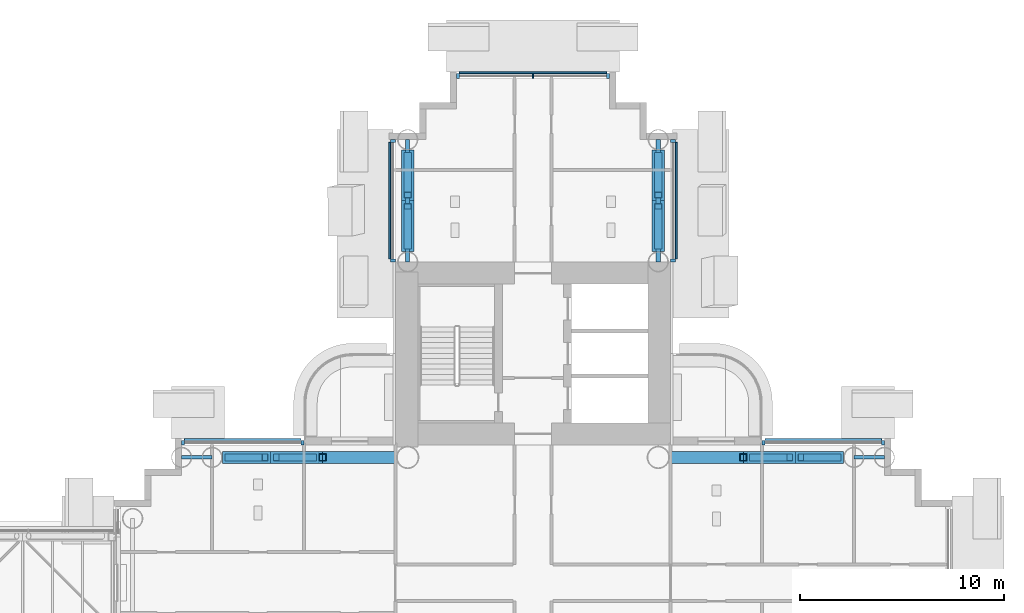
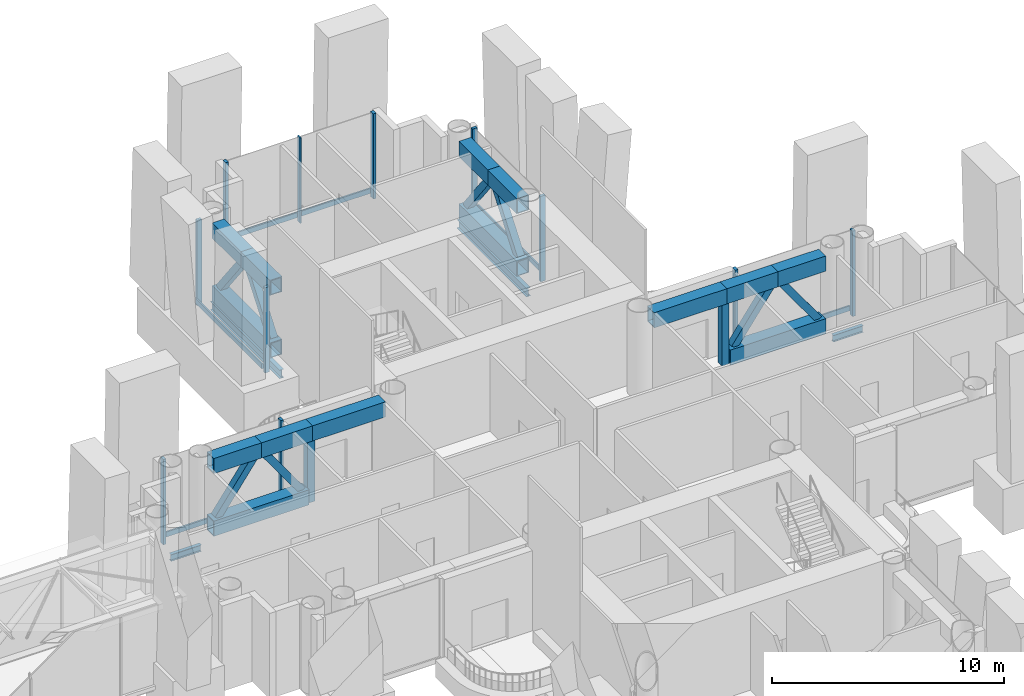
# One storey, part 9 of 27: 40 members, 4 beams, 5 elements without a shape of their own.
"""IFC4 building model written with IfcOpenShell, lengths in metres."""

from ifc_helpers import new_model, si_unit, direction, frame, origin, origin_2d, place, context, subcontext, project, spatial, rectangle, hollow_rectangle, i_section, extrude, material, layer, layer_set, material_profile, profile_set, type_object, element, aggregate, save


model = new_model("IFC4")

# Units and contexts
model_context = context("Model", 3, precision=1e-05, world=origin(), true_north=direction((0.0, 1.0)))
body_context = subcontext(model_context, "Body", "Model", "MODEL_VIEW")
ifc_project = project(units=[si_unit("LENGTHUNIT", "METRE"), si_unit("AREAUNIT", "SQUARE_METRE"), si_unit("VOLUMEUNIT", "CUBIC_METRE"), si_unit("PLANEANGLEUNIT", "RADIAN"), si_unit("MASSUNIT", "GRAM", prefix="KILO")], contexts=[model_context])

# Site, building, storey
site_placement = place(None, origin())
site = spatial("IfcSite", under=ifc_project, at=site_placement, CompositionType="ELEMENT")
building_placement = place(site_placement, origin())
building = spatial("IfcBuilding", under=site, at=building_placement, Name="Ipe Terrace Towers", CompositionType="ELEMENT")
storey_placement = place(building_placement, frame((0.0, 0.0, 72.10009765625)))
storey = spatial("IfcBuildingStorey", under=building, at=storey_placement, Name="L19", CompositionType="ELEMENT", Elevation=72.10009765625)

# Beams
ifc_material_1 = material(Name="Steel S355", Category="steel")
ifc_material_profile_1 = material_profile(ifc_material_1, i_section(OverallWidth=0.175048828125, OverallDepth=0.35009765625, WebThickness=0.007080078125, FlangeThickness=0.010986328125, at=origin_2d()), Name="H-350x175x7x11")
ifc_profile_set_1 = profile_set([ifc_material_profile_1], Name="Steel S355")
beam_type_1 = type_object("IfcBeamType", Name="H04 EDGE BEAM H-350x175x7x11", PredefinedType="BEAM", material=ifc_profile_set_1)
for number, where, z_axis, x_axis, name in (
    (1, (20.25, 6.14990234375, -0.5751953125), (-1.0, 0.0, 0.0), (0.0, -1.0, 0.0), "Edge beam T2-EB-B03-B05"),
    (2, (51.75, 6.14990234375, -0.5751953125), (1.0, 0.0, 0.0), (0.0, 1.0, 0.0), "Edge beam T2-EB-D04-D06"),
):
    element("IfcBeam", number, at=place(storey_placement, frame(where, z_axis=z_axis, x_axis=x_axis)), inside=storey, type_object=beam_type_1, Name=name, PredefinedType="BEAM", context=body_context, shape_type="SweptSolid", body=[
        extrude(i_section(OverallWidth=0.175048828125, OverallDepth=0.35009765625, WebThickness=0.007080078125, FlangeThickness=0.010986328125, at=origin_2d()), origin(), (0.0, 0.0, 1.0), 1.5),
    ])
ifc_material_2 = material(Name="Steel S355", Category="steel")
ifc_material_profile_2 = material_profile(ifc_material_2, i_section(OverallWidth=0.199951171875, OverallDepth=0.449951171875, WebThickness=0.009033203125, FlangeThickness=0.013916015625, at=origin_2d()), Name="H-450x200x9x14")
ifc_profile_set_2 = profile_set([ifc_material_profile_2], Name="Steel S355")
beam_type_2 = type_object("IfcBeamType", Name="H08 EDGE BEAM H-450x200x9x14", PredefinedType="BEAM", material=ifc_profile_set_2)
for number, where, z_axis, x_axis, name in (
    (3, (42.14990234375, 15.75, -0.625), (0.0, 1.0, 0.0), (-1.0, 0.0, 0.0), "Edge beam T2-EB-A01-A03"),
    (4, (29.85009765625, 15.75, -0.625), (0.0, 1.0, 0.0), (-1.0, 0.0, 0.0), "Edge beam T2-EB-A02-A04"),
):
    element("IfcBeam", number, at=place(storey_placement, frame(where, z_axis=z_axis, x_axis=x_axis)), inside=storey, type_object=beam_type_2, Name=name, PredefinedType="BEAM", context=body_context, shape_type="SweptSolid", body=[
        extrude(i_section(OverallWidth=0.199951171875, OverallDepth=0.449951171875, WebThickness=0.009033203125, FlangeThickness=0.013916015625, at=origin_2d()), origin(), (0.0, 0.0, 1.0), 6.0),
    ])

# Members
ifc_material_3 = material(Name="Steel S355", Category="steel")
ifc_material_profile_3 = material_profile(ifc_material_3, hollow_rectangle(XDim=0.35009765625, YDim=0.35009765625, WallThickness=0.02001953125, at=origin_2d()), Name="OUTRIGGER-BRACE BOX 350x350x20")
ifc_profile_set_3 = profile_set([ifc_material_profile_3], Name="Steel S355")
member_type_1 = type_object("IfcMemberType", Name="OUTRIGGER-BRACE BOX 350x350x20", PredefinedType="BRACE", material=ifc_profile_set_3)
for number, where, z_axis, x_axis, name in (
    (5, (29.85009765625, 16.528076171875, 0.77978515625), (0.0, 0.60773905456, 0.794136790209), (-1.0, 0.0, 0.0), "T2-OR-L19-104 diagonal"),
    (6, (29.85009765625, 20.971923828125, 0.77978515625), (0.0, -0.60773905456, 0.794136790209), (1.0, 0.0, 0.0), "T2-OR-L19-105 diagonal"),
    (7, (42.14990234375, 16.528076171875, 0.77978515625), (0.0, 0.60773905456, 0.794136790209), (-1.0, 0.0, 0.0), "T2-OR-L19-109 diagonal"),
    (8, (42.14990234375, 20.971923828125, 0.77978515625), (0.0, -0.60773905456, 0.794136790209), (1.0, 0.0, 0.0), "T2-OR-L19-110 diagonal"),
):
    element("IfcMember", number, at=place(storey_placement, frame(where, z_axis=z_axis, x_axis=x_axis)), inside=storey, type_object=member_type_1, Name=name, PredefinedType="BRACE", context=body_context, shape_type="SweptSolid", body=[
        extrude(hollow_rectangle(XDim=0.35009765625, YDim=0.35009765625, WallThickness=0.02001953125, at=origin_2d()), origin(), (0.0, 0.0, 1.0), 3.198486328125),
    ])
for number, where, z_axis, x_axis, name in (
    (9, (25.22705078125, 6.14990234375, 0.77978515625), (-0.58436225727, 0.0, 0.811492915729), (0.0, -1.0, 0.0), "T2-OR-L19-131 diagonal"),
    (10, (21.02294921875, 6.14990234375, 0.77978515625), (0.58436225727, 0.0, 0.811492915729), (0.0, 1.0, 0.0), "T2-OR-L19-132 diagonal"),
    (11, (46.77294921875, 6.14990234375, 0.77978515625), (0.58436225727, 0.0, 0.811492915729), (0.0, 1.0, 0.0), "T2-OR-L19-138 diagonal"),
    (12, (50.97705078125, 6.14990234375, 0.77978515625), (-0.58436225727, 0.0, 0.811492915729), (0.0, -1.0, 0.0), "T2-OR-L19-139 diagonal"),
):
    element("IfcMember", number, at=place(storey_placement, frame(where, z_axis=z_axis, x_axis=x_axis)), inside=storey, type_object=member_type_1, Name=name, PredefinedType="BRACE", context=body_context, shape_type="SweptSolid", body=[
        extrude(hollow_rectangle(XDim=0.35009765625, YDim=0.35009765625, WallThickness=0.02001953125, at=origin_2d()), origin(), (0.0, 0.0, 1.0), 3.130126953125),
    ])
ifc_material_4 = material(Name="Steel S355", Category="steel")
ifc_material_profile_4 = material_profile(ifc_material_4, hollow_rectangle(XDim=0.60009765625, YDim=0.800048828125, WallThickness=0.0400390625, at=origin_2d()), Name="OUTRIGGER-CHORD BOX 600x800x40")
ifc_profile_set_4 = profile_set([ifc_material_profile_4], Name="Steel S355")
member_type_2 = type_object("IfcMemberType", Name="OUTRIGGER-CHORD BOX 600x800x40", PredefinedType="CHORD", material=ifc_profile_set_4)
member_1_placement = place(storey_placement, frame((29.85009765625, 16.25, 0.39990234375), z_axis=(0.0, 1.0, 0.0), x_axis=(-1.0, 0.0, 0.0)))
element("IfcMember", 13, at=member_1_placement, inside=storey, type_object=member_type_2, Name="T2-OR-L19-103 bottom chord", PredefinedType="CHORD", context=body_context, shape_type="SweptSolid", body=[
    extrude(hollow_rectangle(XDim=0.60009765625, YDim=0.800048828125, WallThickness=0.0400390625, at=origin_2d()), origin(), (0.0, 0.0, 1.0), 5.0),
])
for number, where, z_axis, x_axis, name in (
    (14, (29.85009765625, 16.25, 3.699951171875), (0.0, 1.0, 0.0), (-1.0, 0.0, 0.0), "T2-OR-L19-106 top chord"),
    (15, (29.85009765625, 18.75, 3.699951171875), (0.0, 1.0, 0.0), (-1.0, 0.0, 0.0), "T2-OR-L19-107 top chord"),
):
    element("IfcMember", number, at=place(storey_placement, frame(where, z_axis=z_axis, x_axis=x_axis)), inside=storey, type_object=member_type_2, Name=name, PredefinedType="CHORD", context=body_context, shape_type="SweptSolid", body=[
        extrude(hollow_rectangle(XDim=0.60009765625, YDim=0.800048828125, WallThickness=0.0400390625, at=origin_2d()), origin(), (0.0, 0.0, 1.0), 2.5),
    ])
member_2_placement = place(storey_placement, frame((42.14990234375, 16.25, 0.39990234375), z_axis=(0.0, 1.0, 0.0), x_axis=(-1.0, 0.0, 0.0)))
element("IfcMember", 16, at=member_2_placement, inside=storey, type_object=member_type_2, Name="T2-OR-L19-108 bottom chord", PredefinedType="CHORD", context=body_context, shape_type="SweptSolid", body=[
    extrude(hollow_rectangle(XDim=0.60009765625, YDim=0.800048828125, WallThickness=0.0400390625, at=origin_2d()), origin(), (0.0, 0.0, 1.0), 5.0),
])
for number, where, z_axis, x_axis, name in (
    (17, (42.14990234375, 16.25, 3.699951171875), (0.0, 1.0, 0.0), (-1.0, 0.0, 0.0), "T2-OR-L19-111 top chord"),
    (18, (42.14990234375, 18.75, 3.699951171875), (0.0, 1.0, 0.0), (-1.0, 0.0, 0.0), "T2-OR-L19-112 top chord"),
):
    element("IfcMember", number, at=place(storey_placement, frame(where, z_axis=z_axis, x_axis=x_axis)), inside=storey, type_object=member_type_2, Name=name, PredefinedType="CHORD", context=body_context, shape_type="SweptSolid", body=[
        extrude(hollow_rectangle(XDim=0.60009765625, YDim=0.800048828125, WallThickness=0.0400390625, at=origin_2d()), origin(), (0.0, 0.0, 1.0), 2.5),
    ])
member_3_placement = place(storey_placement, frame((25.5, 6.14990234375, 0.39990234375), z_axis=(-1.0, 0.0, 0.0), x_axis=(0.0, -1.0, 0.0)))
element("IfcMember", 19, at=member_3_placement, inside=storey, type_object=member_type_2, Name="T2-OR-L19-130 bottom chord", PredefinedType="CHORD", context=body_context, shape_type="SweptSolid", body=[
    extrude(hollow_rectangle(XDim=0.60009765625, YDim=0.800048828125, WallThickness=0.0400390625, at=origin_2d()), origin(), (0.0, 0.0, 1.0), 4.75),
])
member_4_placement = place(storey_placement, frame((29.300048828125, 6.14990234375, 3.699951171875), z_axis=(-1.0, 0.0, 0.0), x_axis=(0.0, -1.0, 0.0)))
element("IfcMember", 20, at=member_4_placement, inside=storey, type_object=member_type_2, Name="T2-OR-L19-134 top chord", PredefinedType="CHORD", context=body_context, shape_type="SweptSolid", body=[
    extrude(hollow_rectangle(XDim=0.60009765625, YDim=0.800048828125, WallThickness=0.0400390625, at=origin_2d()), origin(), (0.0, 0.0, 1.0), 3.625),
])
member_5_placement = place(storey_placement, frame((25.675048828125, 6.14990234375, 3.699951171875), z_axis=(-1.0, 0.0, 0.0), x_axis=(0.0, -1.0, 0.0)))
element("IfcMember", 21, at=member_5_placement, inside=storey, type_object=member_type_2, Name="T2-OR-L19-135 top chord", PredefinedType="CHORD", context=body_context, shape_type="SweptSolid", body=[
    extrude(hollow_rectangle(XDim=0.60009765625, YDim=0.800048828125, WallThickness=0.0400390625, at=origin_2d()), origin(), (0.0, 0.0, 1.0), 2.550048828125),
])
member_6_placement = place(storey_placement, frame((23.125, 6.14990234375, 3.699951171875), z_axis=(-1.0, 0.0, 0.0), x_axis=(0.0, -1.0, 0.0)))
element("IfcMember", 22, at=member_6_placement, inside=storey, type_object=member_type_2, Name="T2-OR-L19-136 top chord", PredefinedType="CHORD", context=body_context, shape_type="SweptSolid", body=[
    extrude(hollow_rectangle(XDim=0.60009765625, YDim=0.800048828125, WallThickness=0.0400390625, at=origin_2d()), origin(), (0.0, 0.0, 1.0), 2.375),
])
member_7_placement = place(storey_placement, frame((46.5, 6.14990234375, 0.39990234375), z_axis=(1.0, 0.0, 0.0), x_axis=(0.0, 1.0, 0.0)))
element("IfcMember", 23, at=member_7_placement, inside=storey, type_object=member_type_2, Name="T2-OR-L19-137 bottom chord", PredefinedType="CHORD", context=body_context, shape_type="SweptSolid", body=[
    extrude(hollow_rectangle(XDim=0.60009765625, YDim=0.800048828125, WallThickness=0.0400390625, at=origin_2d()), origin(), (0.0, 0.0, 1.0), 4.75),
])
member_8_placement = place(storey_placement, frame((42.699951171875, 6.14990234375, 3.699951171875), z_axis=(1.0, 0.0, 0.0), x_axis=(0.0, 1.0, 0.0)))
element("IfcMember", 24, at=member_8_placement, inside=storey, type_object=member_type_2, Name="T2-OR-L19-141 top chord", PredefinedType="CHORD", context=body_context, shape_type="SweptSolid", body=[
    extrude(hollow_rectangle(XDim=0.60009765625, YDim=0.800048828125, WallThickness=0.0400390625, at=origin_2d()), origin(), (0.0, 0.0, 1.0), 3.625),
])
member_9_placement = place(storey_placement, frame((46.324951171875, 6.14990234375, 3.699951171875), z_axis=(1.0, 0.0, 0.0), x_axis=(0.0, 1.0, 0.0)))
element("IfcMember", 25, at=member_9_placement, inside=storey, type_object=member_type_2, Name="T2-OR-L19-142 top chord", PredefinedType="CHORD", context=body_context, shape_type="SweptSolid", body=[
    extrude(hollow_rectangle(XDim=0.60009765625, YDim=0.800048828125, WallThickness=0.0400390625, at=origin_2d()), origin(), (0.0, 0.0, 1.0), 2.550048828125),
])
member_10_placement = place(storey_placement, frame((48.875, 6.14990234375, 3.699951171875), z_axis=(1.0, 0.0, 0.0), x_axis=(0.0, 1.0, 0.0)))
element("IfcMember", 26, at=member_10_placement, inside=storey, type_object=member_type_2, Name="T2-OR-L19-143 top chord", PredefinedType="CHORD", context=body_context, shape_type="SweptSolid", body=[
    extrude(hollow_rectangle(XDim=0.60009765625, YDim=0.800048828125, WallThickness=0.0400390625, at=origin_2d()), origin(), (0.0, 0.0, 1.0), 2.375),
])
ifc_material_5 = material(Name="Steel S355", Category="steel")
ifc_material_profile_5 = material_profile(ifc_material_5, hollow_rectangle(XDim=0.35009765625, YDim=0.35009765625, WallThickness=0.02001953125, at=origin_2d()), Name="OUTRIGGER-POST BOX 350x350x20")
ifc_profile_set_5 = profile_set([ifc_material_profile_5], Name="Steel S355")
member_type_3 = type_object("IfcMemberType", Name="OUTRIGGER-POST BOX 350x350x20", PredefinedType="POST", material=ifc_profile_set_5)
for number, where, z_axis, x_axis, name in (
    (27, (25.675048828125, 6.14990234375, 0.0), (0.0, 0.0, 1.0), (1.0, 0.0, 0.0), "T2-OR-L19-133 post"),
    (28, (46.324951171875, 6.14990234375, 0.0), (0.0, 0.0, 1.0), (1.0, 0.0, 0.0), "T2-OR-L19-140 post"),
):
    element("IfcMember", number, at=place(storey_placement, frame(where, z_axis=z_axis, x_axis=x_axis)), inside=storey, type_object=member_type_3, Name=name, PredefinedType="POST", context=body_context, shape_type="SweptSolid", body=[
        extrude(hollow_rectangle(XDim=0.35009765625, YDim=0.35009765625, WallThickness=0.02001953125, at=origin_2d()), origin(), (0.0, 0.0, 1.0), 3.2998046875),
    ])

# Curtain wall, members
ifc_material_6 = material(Name="Aluminium alloy 6063-T6", Category="aluminium")
ifc_layer = layer(ifc_material_6, 0.320068359375)
ifc_layer_set = layer_set([ifc_layer], Name="REFUGE FLOOR CURTAIN WALL")
curtain_wall_type = type_object("IfcCurtainWallType", Name="REFUGE FLOOR CURTAIN WALL", PredefinedType="NOTDEFINED", material=ifc_layer_set)
curtain_wall_1_placement = place(storey_placement, origin())
curtain_wall_1 = element("IfcCurtainWall", 29, at=curtain_wall_1_placement, inside=storey, type_object=curtain_wall_type, Name="T2-CW-L19-17a curtain wall", PredefinedType="NOTDEFINED")
ifc_material_7 = material(Name="Aluminium alloy 6063-T6", Category="aluminium")
ifc_material_profile_6 = material_profile(ifc_material_7, rectangle(XDim=0.239990234375, YDim=0.139892578125, at=origin_2d()), Name="REFUGE FLOOR CORNER MULLION 240 x 140")
ifc_profile_set_6 = profile_set([ifc_material_profile_6], Name="Aluminium alloy 6063-T6")
member_type_4 = type_object("IfcMemberType", Name="REFUGE FLOOR CORNER MULLION 240 x 140", PredefinedType="MULLION", material=ifc_profile_set_6)
member_11_placement = place(storey_placement, frame((53.179931640625, 6.8701171875, -0.300048828125), z_axis=(0.0, 0.0, 1.0), x_axis=(0.0, 1.0, 0.0)))
member_11 = element("IfcMember", 30, at=member_11_placement, type_object=member_type_4, Name="T2-CW-L19-17a mullion 1", PredefinedType="MULLION", context=body_context, shape_type="SweptSolid", body=[
    extrude(rectangle(XDim=0.239990234375, YDim=0.139892578125, at=origin_2d()), origin(), (0.0, 0.0, 1.0), 4.5),
])
member_12_placement = place(storey_placement, frame((47.320068359375, 6.8701171875, -0.300048828125), z_axis=(0.0, 0.0, 1.0), x_axis=(0.0, 1.0, 0.0)))
member_12 = element("IfcMember", 31, at=member_12_placement, type_object=member_type_4, Name="T2-CW-L19-17a mullion 2", PredefinedType="MULLION", context=body_context, shape_type="SweptSolid", body=[
    extrude(rectangle(XDim=0.239990234375, YDim=0.139892578125, at=origin_2d()), origin(), (0.0, 0.0, 1.0), 4.5),
])

curtain_wall_2_placement = place(storey_placement, origin())
curtain_wall_2 = element("IfcCurtainWall", 32, at=curtain_wall_2_placement, inside=storey, type_object=curtain_wall_type, Name="T2-CW-L19-20b curtain wall", PredefinedType="NOTDEFINED")
member_13_placement = place(storey_placement, frame((42.8701171875, 15.821044921875, -0.300048828125), z_axis=(0.0, 0.0, 1.0), x_axis=(1.0, 0.0, 0.0)))
member_13 = element("IfcMember", 33, at=member_13_placement, type_object=member_type_4, Name="T2-CW-L19-20b mullion 1", PredefinedType="MULLION", context=body_context, shape_type="SweptSolid", body=[
    extrude(rectangle(XDim=0.239990234375, YDim=0.139892578125, at=origin_2d()), origin(), (0.0, 0.0, 1.0), 4.5),
])
member_14_placement = place(storey_placement, frame((42.8701171875, 21.679931640625, -0.300048828125), z_axis=(0.0, 0.0, 1.0), x_axis=(1.0, 0.0, 0.0)))
member_14 = element("IfcMember", 34, at=member_14_placement, type_object=member_type_4, Name="T2-CW-L19-20b mullion 2", PredefinedType="MULLION", context=body_context, shape_type="SweptSolid", body=[
    extrude(rectangle(XDim=0.239990234375, YDim=0.139892578125, at=origin_2d()), origin(), (0.0, 0.0, 1.0), 4.5),
])

curtain_wall_3_placement = place(storey_placement, origin())
curtain_wall_3 = element("IfcCurtainWall", 35, at=curtain_wall_3_placement, inside=storey, type_object=curtain_wall_type, Name="T2-CW-L19-25a curtain wall", PredefinedType="NOTDEFINED")
member_15_placement = place(storey_placement, frame((39.679931640625, 24.8701171875, -0.300048828125), z_axis=(0.0, 0.0, 1.0), x_axis=(0.0, 1.0, 0.0)))
member_15 = element("IfcMember", 36, at=member_15_placement, type_object=member_type_4, Name="T2-CW-L19-25a mullion 1", PredefinedType="MULLION", context=body_context, shape_type="SweptSolid", body=[
    extrude(rectangle(XDim=0.239990234375, YDim=0.139892578125, at=origin_2d()), origin(), (0.0, 0.0, 1.0), 4.5),
])
member_16_placement = place(storey_placement, frame((32.320068359375, 24.8701171875, -0.300048828125), z_axis=(0.0, 0.0, 1.0), x_axis=(0.0, 1.0, 0.0)))
member_16 = element("IfcMember", 37, at=member_16_placement, type_object=member_type_4, Name="T2-CW-L19-25a mullion 3", PredefinedType="MULLION", context=body_context, shape_type="SweptSolid", body=[
    extrude(rectangle(XDim=0.239990234375, YDim=0.139892578125, at=origin_2d()), origin(), (0.0, 0.0, 1.0), 4.5),
])

curtain_wall_4_placement = place(storey_placement, origin())
curtain_wall_4 = element("IfcCurtainWall", 38, at=curtain_wall_4_placement, inside=storey, type_object=curtain_wall_type, Name="T2-CW-L19-30a curtain wall", PredefinedType="NOTDEFINED")
member_17_placement = place(storey_placement, frame((29.1298828125, 21.679931640625, -0.300048828125), z_axis=(0.0, 0.0, 1.0), x_axis=(-1.0, 0.0, 0.0)))
member_17 = element("IfcMember", 39, at=member_17_placement, type_object=member_type_4, Name="T2-CW-L19-30a mullion 1", PredefinedType="MULLION", context=body_context, shape_type="SweptSolid", body=[
    extrude(rectangle(XDim=0.239990234375, YDim=0.139892578125, at=origin_2d()), origin(), (0.0, 0.0, 1.0), 4.5),
])
member_18_placement = place(storey_placement, frame((29.1298828125, 15.821044921875, -0.300048828125), z_axis=(0.0, 0.0, 1.0), x_axis=(-1.0, 0.0, 0.0)))
member_18 = element("IfcMember", 40, at=member_18_placement, type_object=member_type_4, Name="T2-CW-L19-30a mullion 2", PredefinedType="MULLION", context=body_context, shape_type="SweptSolid", body=[
    extrude(rectangle(XDim=0.239990234375, YDim=0.139892578125, at=origin_2d()), origin(), (0.0, 0.0, 1.0), 4.5),
])

curtain_wall_5_placement = place(storey_placement, origin())
curtain_wall_5 = element("IfcCurtainWall", 41, at=curtain_wall_5_placement, inside=storey, type_object=curtain_wall_type, Name="T2-CW-L19-33a curtain wall", PredefinedType="NOTDEFINED")
member_19_placement = place(storey_placement, frame((24.679931640625, 6.8701171875, -0.300048828125), z_axis=(0.0, 0.0, 1.0), x_axis=(0.0, 1.0, 0.0)))
member_19 = element("IfcMember", 42, at=member_19_placement, type_object=member_type_4, Name="T2-CW-L19-33a mullion 1", PredefinedType="MULLION", context=body_context, shape_type="SweptSolid", body=[
    extrude(rectangle(XDim=0.239990234375, YDim=0.139892578125, at=origin_2d()), origin(), (0.0, 0.0, 1.0), 4.5),
])
member_20_placement = place(storey_placement, frame((18.820068359375, 6.8701171875, -0.300048828125), z_axis=(0.0, 0.0, 1.0), x_axis=(0.0, 1.0, 0.0)))
member_20 = element("IfcMember", 43, at=member_20_placement, type_object=member_type_4, Name="T2-CW-L19-33a mullion 2", PredefinedType="MULLION", context=body_context, shape_type="SweptSolid", body=[
    extrude(rectangle(XDim=0.239990234375, YDim=0.139892578125, at=origin_2d()), origin(), (0.0, 0.0, 1.0), 4.5),
])

# Member
ifc_material_8 = material(Name="Aluminium alloy 6063-T6", Category="aluminium")
ifc_material_profile_7 = material_profile(ifc_material_8, rectangle(XDim=0.239990234375, YDim=0.074951171875, at=origin_2d()), Name="REFUGE FLOOR MULLION 240 x 75")
ifc_profile_set_7 = profile_set([ifc_material_profile_7], Name="Aluminium alloy 6063-T6")
member_type_5 = type_object("IfcMemberType", Name="REFUGE FLOOR MULLION 240 x 75", PredefinedType="MULLION", material=ifc_profile_set_7)
member_21_placement = place(storey_placement, frame((36.0, 24.8701171875, -0.300048828125), z_axis=(0.0, 0.0, 1.0), x_axis=(0.0, 1.0, 0.0)))
member_21 = element("IfcMember", 44, at=member_21_placement, type_object=member_type_5, Name="T2-CW-L19-25a mullion 2", PredefinedType="MULLION", context=body_context, shape_type="SweptSolid", body=[
    extrude(rectangle(XDim=0.239990234375, YDim=0.074951171875, at=origin_2d()), origin(), (0.0, 0.0, 1.0), 4.5),
])

ifc_material_9 = material(Name="Aluminium alloy 6063-T6", Category="aluminium")
ifc_material_profile_8 = material_profile(ifc_material_9, rectangle(XDim=0.080078125, YDim=0.260009765625, at=origin_2d()), Name="REFUGE FLOOR TRANSOM 80 x 260")
ifc_profile_set_8 = profile_set([ifc_material_profile_8], Name="Aluminium alloy 6063-T6")
member_type_6 = type_object("IfcMemberType", Name="REFUGE FLOOR TRANSOM 80 x 260", PredefinedType="USERDEFINED", material=ifc_profile_set_8)
member_22_placement = place(storey_placement, frame((53.110107421875, 7.030029296875, 0.0), z_axis=(-1.0, 0.0, 0.0), x_axis=(0.0, 1.0, 0.0)))
member_22 = element("IfcMember", 45, at=member_22_placement, type_object=member_type_6, Name="T2-CW-L19-17a transom", ObjectType="TRANSOM", PredefinedType="USERDEFINED", context=body_context, shape_type="SweptSolid", body=[
    extrude(rectangle(XDim=0.080078125, YDim=0.260009765625, at=origin_2d()), origin(), (0.0, 0.0, 1.0), 5.72021484375),
])

aggregate(curtain_wall_1, [member_11, member_12, member_22])

member_23_placement = place(storey_placement, frame((43.030029296875, 15.89111328125, 0.0), z_axis=(0.0, 1.0, 0.0), x_axis=(1.0, 0.0, 0.0)))
member_23 = element("IfcMember", 46, at=member_23_placement, type_object=member_type_6, Name="T2-CW-L19-20b transom", ObjectType="TRANSOM", PredefinedType="USERDEFINED", context=body_context, shape_type="SweptSolid", body=[
    extrude(rectangle(XDim=0.080078125, YDim=0.260009765625, at=origin_2d()), origin(), (0.0, 0.0, 1.0), 5.718994140625),
])

aggregate(curtain_wall_2, [member_13, member_14, member_23])

member_24_placement = place(storey_placement, frame((39.610107421875, 25.030029296875, 0.0), z_axis=(-1.0, 0.0, 0.0), x_axis=(0.0, 1.0, 0.0)))
member_24 = element("IfcMember", 47, at=member_24_placement, type_object=member_type_6, Name="T2-CW-L19-25a transom", ObjectType="TRANSOM", PredefinedType="USERDEFINED", context=body_context, shape_type="SweptSolid", body=[
    extrude(rectangle(XDim=0.080078125, YDim=0.260009765625, at=origin_2d()), origin(), (0.0, 0.0, 1.0), 7.22021484375),
])

aggregate(curtain_wall_3, [member_15, member_21, member_16, member_24])

member_25_placement = place(storey_placement, frame((28.969970703125, 21.610107421875, 0.0), z_axis=(0.0, -1.0, 0.0), x_axis=(-1.0, 0.0, 0.0)))
member_25 = element("IfcMember", 48, at=member_25_placement, type_object=member_type_6, Name="T2-CW-L19-30a transom", ObjectType="TRANSOM", PredefinedType="USERDEFINED", context=body_context, shape_type="SweptSolid", body=[
    extrude(rectangle(XDim=0.080078125, YDim=0.260009765625, at=origin_2d()), origin(), (0.0, 0.0, 1.0), 5.718994140625),
])

aggregate(curtain_wall_4, [member_17, member_18, member_25])

member_26_placement = place(storey_placement, frame((24.610107421875, 7.030029296875, 0.0), z_axis=(-1.0, 0.0, 0.0), x_axis=(0.0, 1.0, 0.0)))
member_26 = element("IfcMember", 49, at=member_26_placement, type_object=member_type_6, Name="T2-CW-L19-33a transom", ObjectType="TRANSOM", PredefinedType="USERDEFINED", context=body_context, shape_type="SweptSolid", body=[
    extrude(rectangle(XDim=0.080078125, YDim=0.260009765625, at=origin_2d()), origin(), (0.0, 0.0, 1.0), 5.72021484375),
])

aggregate(curtain_wall_5, [member_19, member_20, member_26])

save(model, "model.ifc")
